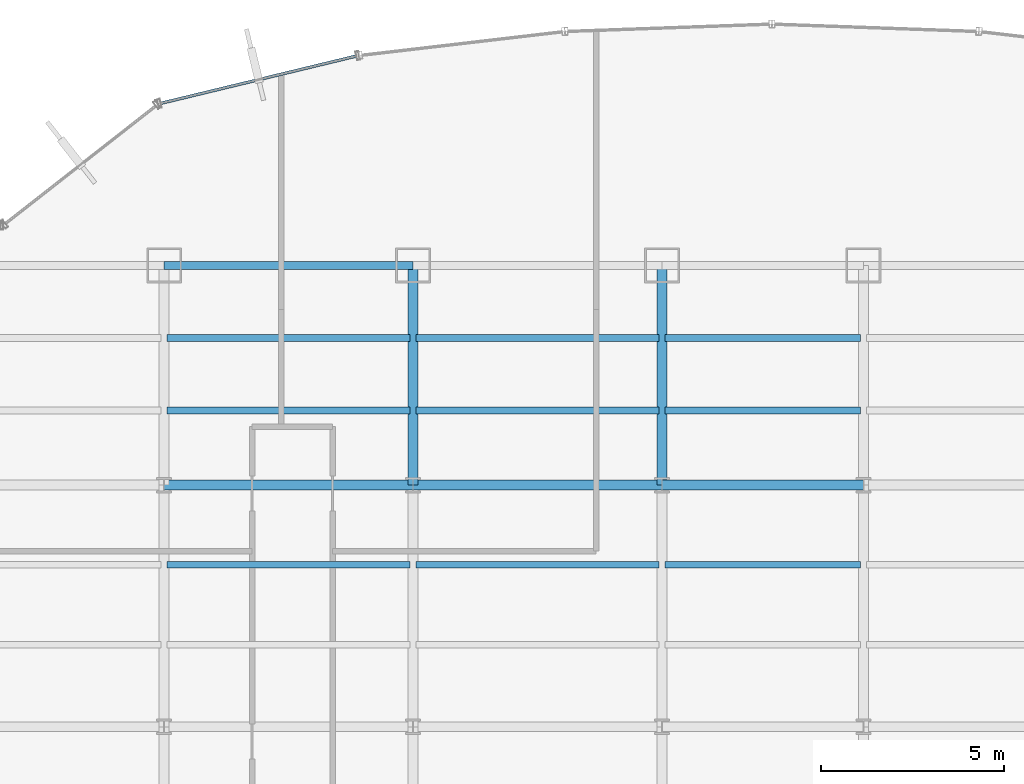
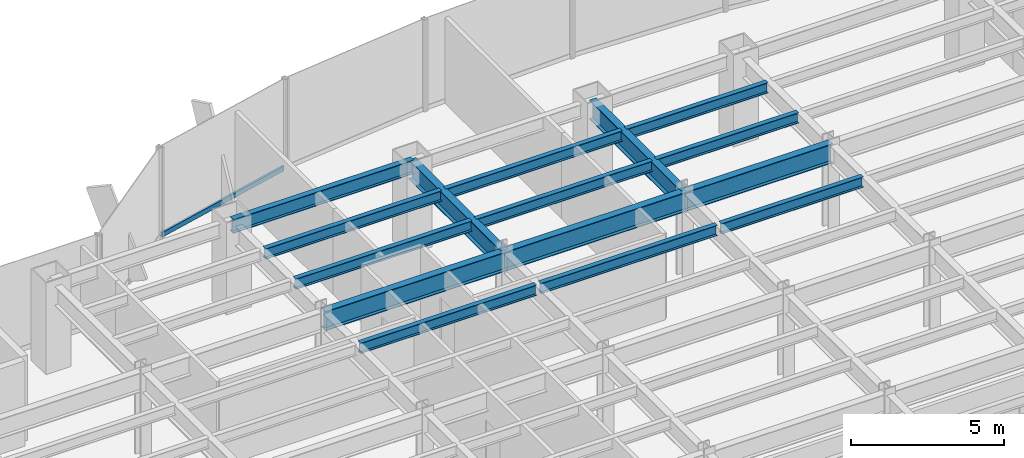
# One storey, part 11 of 22: 15 beams, 1 member, 1 element without a shape of its own.
"""IFC4 building model written with IfcOpenShell, lengths in metres."""

from ifc_helpers import new_model, si_unit, derived_unit, direction, frame, origin, origin_2d, place, context, subcontext, project, spatial, hollow_rectangle, i_section, extrude, source, transform, mapped, material, material_profile, profile_set, type_object, element, aggregate, save


model = new_model("IFC4")

# Units and contexts
model_context = context("Model", 3, precision=1e-05, world=origin(), true_north=direction((0.0, 1.0)))
body_context = subcontext(model_context, "Body", "Model", "MODEL_VIEW")
ifc_project = project(units=[si_unit("LENGTHUNIT", "METRE"), si_unit("AREAUNIT", "SQUARE_METRE"), si_unit("VOLUMEUNIT", "CUBIC_METRE"), si_unit("PLANEANGLEUNIT", "RADIAN"), si_unit("MASSUNIT", "GRAM", prefix="KILO"), derived_unit("THERMALTRANSMITTANCEUNIT", [(si_unit("POWERUNIT", "WATT"), 1), (si_unit("LENGTHUNIT", "METRE"), -2), (si_unit("THERMODYNAMICTEMPERATUREUNIT", "KELVIN"), -1)])], contexts=[model_context])

# Site, building, storey
site_placement = place(None, origin())
site = spatial("IfcSite", under=ifc_project, at=site_placement, CompositionType="ELEMENT")
building_placement = place(site_placement, origin())
building = spatial("IfcBuilding", under=site, at=building_placement, Name="Skarnbrae Concourse Arena and Tower", CompositionType="ELEMENT")
storey_placement = place(building_placement, frame((0.0, 0.0, 58.050048828125)))
storey = spatial("IfcBuildingStorey", under=building, at=storey_placement, Name="L13", CompositionType="ELEMENT", Elevation=58.050048828125)

# Beams
ifc_material_1 = material(Name="Steel CSA G40.21 350W", Category="steel")
ifc_material_profile_1 = material_profile(ifc_material_1, i_section(OverallWidth=0.26806640625, OverallDepth=0.77001953125, WebThickness=0.015625, FlangeThickness=0.025390625, at=origin_2d()), Name="W760X196")
ifc_profile_set_1 = profile_set([ifc_material_profile_1], Name="Steel CSA G40.21 350W")
beam_type_1 = type_object("IfcBeamType", Name="BM-GIRD-W760X196", PredefinedType="BEAM", material=ifc_profile_set_1)
shared_shape_1 = source(origin(), body_context, "Body", "SweptSolid", [
    extrude(i_section(OverallWidth=0.26806640625, OverallDepth=0.77001953125, WebThickness=0.015625, FlangeThickness=0.025390625, at=origin_2d()), origin(), (0.0, 0.0, 1.0), 6.800048828125),
])
for number, where, z_axis, x_axis, name in (
    (1, (14.39990234375, 34.39990234375, 3.014892578125), (1.0, 0.0, 0.0), (0.0, 1.0, 0.0), "L13 Primary E-W girder Y34.4-3"),
    (2, (21.199951171875, 34.39990234375, 3.014892578125), (1.0, 0.0, 0.0), (0.0, 1.0, 0.0), "L13 Primary E-W girder Y34.4-4"),
):
    element("IfcBeam", number, at=place(storey_placement, frame(where, z_axis=z_axis, x_axis=x_axis)), inside=storey, type_object=beam_type_1, Name=name, PredefinedType="BEAM", context=body_context, shape_type="MappedRepresentation", body=[
        mapped(shared_shape_1, transform((0.0, 0.0, 0.0))),
    ])
shared_shape_2 = source(origin(), body_context, "Body", "SweptSolid", [
    extrude(i_section(OverallWidth=0.26806640625, OverallDepth=0.77001953125, WebThickness=0.015625, FlangeThickness=0.025390625, at=origin_2d()), origin(), (0.0, 0.0, 1.0), 5.5),
])
beam_1_placement = place(storey_placement, frame((28.0, 34.39990234375, 3.014892578125), z_axis=(1.0, 0.0, 0.0), x_axis=(0.0, 1.0, 0.0)))
element("IfcBeam", 3, at=beam_1_placement, inside=storey, type_object=beam_type_1, Name="L13 Primary E-W girder Y34.4-5", PredefinedType="BEAM", context=body_context, shape_type="MappedRepresentation", body=[
    mapped(shared_shape_2, transform((0.0, 0.0, 0.0))),
])
shared_shape_3 = source(origin(), body_context, "Body", "SweptSolid", [
    extrude(i_section(OverallWidth=0.26806640625, OverallDepth=0.77001953125, WebThickness=0.015625, FlangeThickness=0.025390625, at=origin_2d()), origin(), (0.0, 0.0, 1.0), 6.0),
])
for number, where, z_axis, x_axis, name in (
    (4, (21.199951171875, 34.39990234375, 3.014892578125), (0.0, 1.0, 0.0), (-1.0, 0.0, 0.0), "L13 Primary N-S girder X21.2-4"),
    (5, (28.0, 34.39990234375, 3.014892578125), (0.0, 1.0, 0.0), (-1.0, 0.0, 0.0), "L13 Primary N-S girder X28.0-4"),
):
    element("IfcBeam", number, at=place(storey_placement, frame(where, z_axis=z_axis, x_axis=x_axis)), inside=storey, type_object=beam_type_1, Name=name, PredefinedType="BEAM", context=body_context, shape_type="MappedRepresentation", body=[
        mapped(shared_shape_3, transform((0.0, 0.0, 0.0))),
    ])
ifc_material_profile_2 = material_profile(ifc_material_1, i_section(OverallWidth=0.214111328125, OverallDepth=0.549072265625, WebThickness=0.0146484375, FlangeThickness=0.023681640625, at=origin_2d()), Name="W530X138")
ifc_profile_set_2 = profile_set([ifc_material_profile_2], Name="Steel CSA G40.21 350W")
beam_type_2 = type_object("IfcBeamType", Name="BM-SPAN-W530X138", PredefinedType="SPANDREL", material=ifc_profile_set_2)
shared_shape_4 = source(origin(), body_context, "Body", "SweptSolid", [
    extrude(i_section(OverallWidth=0.214111328125, OverallDepth=0.549072265625, WebThickness=0.0146484375, FlangeThickness=0.023681640625, at=origin_2d()), origin(), (0.0, 0.0, 1.0), 6.800048828125),
])
beam_2_placement = place(storey_placement, frame((14.39990234375, 40.39990234375, 3.12548828125), z_axis=(1.0, 0.0, 0.0), x_axis=(0.0, 1.0, 0.0)))
element("IfcBeam", 6, at=beam_2_placement, inside=storey, type_object=beam_type_2, Name="L13 Perimeter spandrel Y40.4-2", PredefinedType="SPANDREL", context=body_context, shape_type="MappedRepresentation", body=[
    mapped(shared_shape_4, transform((0.0, 0.0, 0.0))),
])
ifc_material_profile_3 = material_profile(ifc_material_1, i_section(OverallWidth=0.180908203125, OverallDepth=0.4169921875, WebThickness=0.010986328125, FlangeThickness=0.018310546875, at=origin_2d()), Name="W410X85")
ifc_profile_set_3 = profile_set([ifc_material_profile_3], Name="Steel CSA G40.21 350W")
beam_type_3 = type_object("IfcBeamType", Name="BM-JOIST-W410X85", PredefinedType="JOIST", material=ifc_profile_set_3)
shared_shape_5 = source(origin(), body_context, "Body", "SweptSolid", [
    extrude(i_section(OverallWidth=0.180908203125, OverallDepth=0.4169921875, WebThickness=0.010986328125, FlangeThickness=0.018310546875, at=origin_2d()), origin(), (0.0, 0.0, 1.0), 6.64013671875),
])
for number, where, z_axis, x_axis, name in (
    (7, (14.47998046875, 32.221923828125, 3.19140625), (1.0, 0.0, 0.0), (0.0, 1.0, 0.0), "L13 Secondary floor joist 3.2.3"),
    (8, (14.47998046875, 36.43994140625, 3.19140625), (1.0, 0.0, 0.0), (0.0, 1.0, 0.0), "L13 Secondary floor joist 4.1.2"),
    (9, (14.47998046875, 38.419921875, 3.19140625), (1.0, 0.0, 0.0), (0.0, 1.0, 0.0), "L13 Secondary floor joist 4.2.2"),
):
    element("IfcBeam", number, at=place(storey_placement, frame(where, z_axis=z_axis, x_axis=x_axis)), inside=storey, type_object=beam_type_3, Name=name, PredefinedType="JOIST", context=body_context, shape_type="MappedRepresentation", body=[
        mapped(shared_shape_5, transform((0.0, 0.0, 0.0))),
    ])
shared_shape_6 = source(origin(), body_context, "Body", "SweptSolid", [
    extrude(i_section(OverallWidth=0.180908203125, OverallDepth=0.4169921875, WebThickness=0.010986328125, FlangeThickness=0.018310546875, at=origin_2d()), origin(), (0.0, 0.0, 1.0), 6.639892578125),
])
for number, where, z_axis, x_axis, name in (
    (10, (21.280029296875, 32.221923828125, 3.19140625), (1.0, 0.0, 0.0), (0.0, 1.0, 0.0), "L13 Secondary floor joist 3.2.4"),
    (11, (21.280029296875, 36.43994140625, 3.19140625), (1.0, 0.0, 0.0), (0.0, 1.0, 0.0), "L13 Secondary floor joist 4.1.3"),
    (12, (21.280029296875, 38.419921875, 3.19140625), (1.0, 0.0, 0.0), (0.0, 1.0, 0.0), "L13 Secondary floor joist 4.2.3"),
):
    element("IfcBeam", number, at=place(storey_placement, frame(where, z_axis=z_axis, x_axis=x_axis)), inside=storey, type_object=beam_type_3, Name=name, PredefinedType="JOIST", context=body_context, shape_type="MappedRepresentation", body=[
        mapped(shared_shape_6, transform((0.0, 0.0, 0.0))),
    ])
shared_shape_7 = source(origin(), body_context, "Body", "SweptSolid", [
    extrude(i_section(OverallWidth=0.180908203125, OverallDepth=0.4169921875, WebThickness=0.010986328125, FlangeThickness=0.018310546875, at=origin_2d()), origin(), (0.0, 0.0, 1.0), 5.33984375),
])
for number, where, z_axis, x_axis, name in (
    (13, (28.080078125, 32.221923828125, 3.19140625), (1.0, 0.0, 0.0), (0.0, 1.0, 0.0), "L13 Secondary floor joist 3.2.5"),
    (14, (28.080078125, 36.43994140625, 3.19140625), (1.0, 0.0, 0.0), (0.0, 1.0, 0.0), "L13 Secondary floor joist 4.1.4"),
    (15, (28.080078125, 38.419921875, 3.19140625), (1.0, 0.0, 0.0), (0.0, 1.0, 0.0), "L13 Secondary floor joist 4.2.4"),
):
    element("IfcBeam", number, at=place(storey_placement, frame(where, z_axis=z_axis, x_axis=x_axis)), inside=storey, type_object=beam_type_3, Name=name, PredefinedType="JOIST", context=body_context, shape_type="MappedRepresentation", body=[
        mapped(shared_shape_7, transform((0.0, 0.0, 0.0))),
    ])

# Curtain wall, member
ifc_material_2 = material(Name="Bronze anodised aluminium 6063-T6", Category="aluminium")
curtain_wall_type = type_object("IfcCurtainWallType", Name="CW-SYS-02-LOWZONE", PredefinedType="USERDEFINED", material=ifc_material_2)
curtain_wall_placement = place(storey_placement, origin())
curtain_wall = element("IfcCurtainWall", 16, at=curtain_wall_placement, inside=storey, type_object=curtain_wall_type, Name="L13 Unitised curtain wall CW-L13-E14", ObjectType="UNITISED CURTAIN WALL", PredefinedType="USERDEFINED")
ifc_material_profile_4 = material_profile(ifc_material_2, hollow_rectangle(XDim=0.080078125, YDim=0.18994140625, WallThickness=0.0048828125, at=origin_2d()), Name="ALU-TRAN-80X190")
ifc_profile_set_4 = profile_set([ifc_material_profile_4], Name="Bronze anodised aluminium 6063-T6")
member_type = type_object("IfcMemberType", Name="CWT-CW-02", PredefinedType="USERDEFINED", material=ifc_profile_set_4)
shared_shape_8 = source(origin(), body_context, "Body", "SweptSolid", [
    extrude(hollow_rectangle(XDim=0.080078125, YDim=0.18994140625, WallThickness=0.0048828125, at=origin_2d()), origin(), (0.0, 0.0, 1.0), 5.4921875),
])
member_placement = place(storey_placement, frame((19.64990234375, 46.12158203125, 0.094970703125), z_axis=(-0.971980728004, -0.235060554728, 0.0), x_axis=(0.235060554728, -0.971980728004, 0.0)))
member = element("IfcMember", 17, at=member_placement, type_object=member_type, Name="CW-L13-E14 Transom 1", ObjectType="TRANSOM", PredefinedType="USERDEFINED", context=body_context, shape_type="MappedRepresentation", body=[
    mapped(shared_shape_8, transform((0.0, 0.0, 0.0))),
])
aggregate(curtain_wall, [member])

save(model, "model.ifc")
